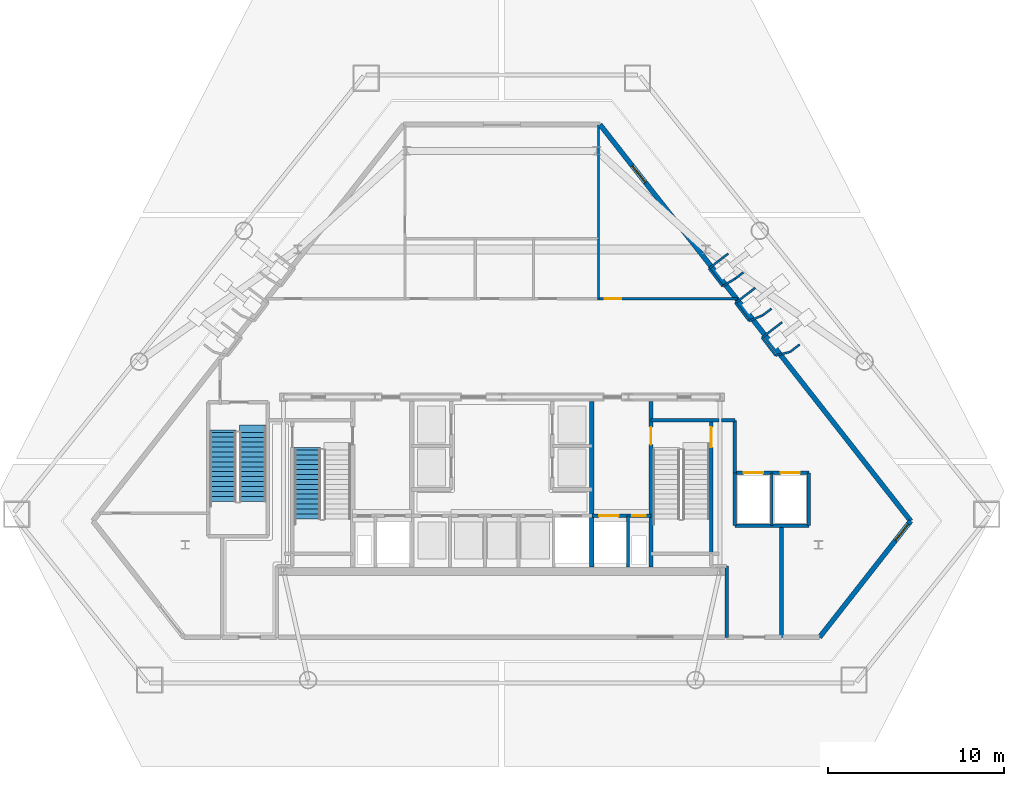
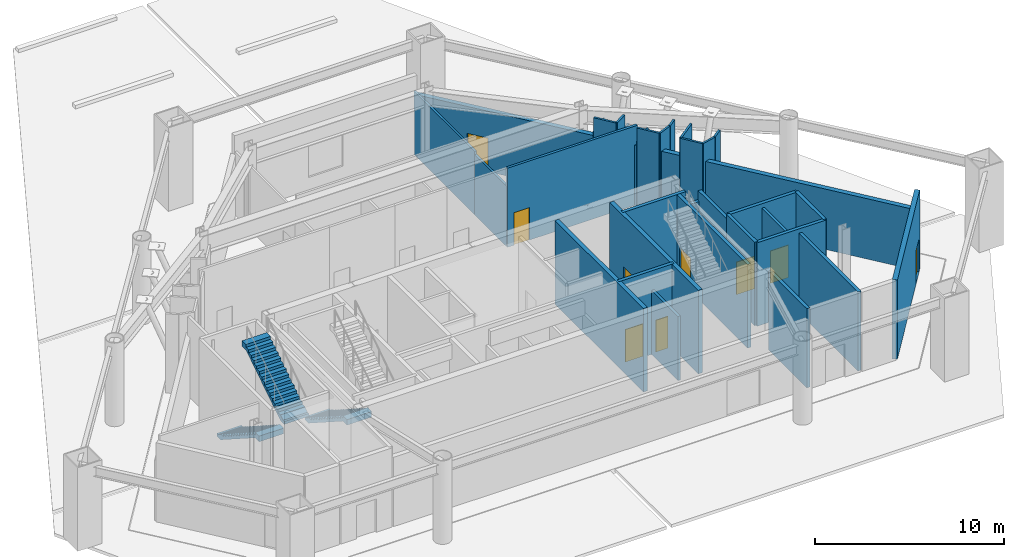
# One storey, part 6 of 9: 32 walls, 9 doors, 3 stair flights, 9 openings, 2 elements without a shape of their own.
"""IFC4 building model written with IfcOpenShell, lengths in metres."""

from ifc_helpers import new_model, si_unit, direction, frame, frame_2d, origin, place, context, subcontext, project, spatial, polyline, rectangle, outline, extrude, material, layer, layer_set, type_object, element, fill, aggregate, save


model = new_model("IFC4")

# Units and contexts
model_context = context("Model", 3, precision=1e-05, world=origin(), true_north=direction((0.0, 1.0)))
body_context = subcontext(model_context, "Body", "Model", "MODEL_VIEW")
ifc_project = project(units=[si_unit("LENGTHUNIT", "METRE"), si_unit("AREAUNIT", "SQUARE_METRE"), si_unit("VOLUMEUNIT", "CUBIC_METRE"), si_unit("PLANEANGLEUNIT", "RADIAN"), si_unit("MASSUNIT", "GRAM", prefix="KILO")], contexts=[model_context])

# Site, building, storey
site_placement = place(None, origin())
site = spatial("IfcSite", under=ifc_project, at=site_placement, CompositionType="ELEMENT")
building_placement = place(site_placement, origin())
building = spatial("IfcBuilding", under=site, at=building_placement, Name="Talgorran Terracotta Tower", CompositionType="ELEMENT")
storey_placement = place(building_placement, origin())
storey = spatial("IfcBuildingStorey", under=building, at=storey_placement, Name="L00", CompositionType="ELEMENT", Elevation=0.0)

# Wall
ifc_material_1 = material(Name="Concrete C50/60", Category="concrete")
ifc_layer_1 = layer(ifc_material_1, 0.199951171875, Name="WT_CORE_200")
ifc_layer_set_1 = layer_set([ifc_layer_1], Name="Concrete C50/60")
wall_type_1 = type_object("IfcWallType", Name="WT_CORE_200", PredefinedType="SOLIDWALL", material=ifc_layer_set_1)
wall_1_placement = place(storey_placement, frame((8.47998046875, -5.52001953125, 0.0), z_axis=(0.0, 0.0, 1.0), x_axis=(1.0, 0.0, 0.0)))
element("IfcWall", 1, at=wall_1_placement, inside=storey, type_object=wall_type_1, Name="WL-L00-CW-ST2-N", PredefinedType="SOLIDWALL", context=body_context, shape_type="SweptSolid", body=[
    extrude(rectangle(XDim=3.8701171875, YDim=0.199951171875, at=frame_2d((1.93505859375, 0.0))), origin(), (0.0, 0.0, 1.0), 5.39990234375),
])

# Wall, opening, door
wall_2_placement = place(storey_placement, frame((11.89990234375, -5.52001953125, 0.0), z_axis=(0.0, 0.0, 1.0), x_axis=(0.0, -1.0, 0.0)))
wall_2 = element("IfcWall", 2, at=wall_2_placement, inside=storey, type_object=wall_type_1, Name="WL-L00-CW-ST2-E", PredefinedType="SOLIDWALL", context=body_context, shape_type="SweptSolid", body=[
    extrude(rectangle(XDim=7.580078125, YDim=0.199951171875, at=frame_2d((3.7900390625, 0.0))), origin(), (0.0, 0.0, 1.0), 5.39990234375),
])
opening_1_placement = place(wall_2_placement, frame((0.3798828125, 0.0, 0.0)))
opening_1 = element("IfcOpeningElement", 3, at=opening_1_placement, cuts=wall_2, Name="Opening EX-02", PredefinedType="OPENING", context=body_context, shape_type="SweptSolid", body=[
    extrude(rectangle(XDim=1.15590234375, YDim=2.15390234375, at=frame_2d((0.574951171875, 1.076904296875))), frame((0.0, 0.10986328125, 0.0), z_axis=(0.0, -1.0, 0.0), x_axis=(1.0, 0.0, 0.0)), (0.0, 0.0, 1.0), 0.219970703125),
])
ifc_material_2 = material(Name="Steel Grade 350 (350L0)", Category="steel")
door_type_1 = type_object("IfcDoorType", Name="DT_EXIT_1150", OperationType="NOTDEFINED", PredefinedType="DOOR", material=ifc_material_2)
door_1_placement = place(opening_1_placement, origin())
door_1 = element("IfcDoor", 4, at=door_1_placement, inside=storey, type_object=door_type_1, Name="EX-02", OperationType="SINGLE_SWING_LEFT", OverallHeight=2.14990234375, OverallWidth=1.14990234375, PredefinedType="DOOR", context=body_context, shape_type="SweptSolid", body=[
    extrude(rectangle(XDim=1.14990234375, YDim=2.14990234375, at=frame_2d((0.574951171875, 1.074951171875))), frame((0.0, 0.02490234375, 0.0), z_axis=(0.0, -1.0, 0.0), x_axis=(1.0, 0.0, 0.0)), (0.0, 0.0, 1.0), 0.050048828125),
])
fill(opening_1, door_1)

# Wall, openings, doors
wall_3_placement = place(storey_placement, frame((5.1201171875, -10.949951171875, 0.0), z_axis=(0.0, 0.0, 1.0), x_axis=(1.0, 0.0, 0.0)))
wall_3 = element("IfcWall", 5, at=wall_3_placement, inside=storey, type_object=wall_type_1, Name="WL-L00-CW-H-SBE", PredefinedType="SOLIDWALL", context=body_context, shape_type="SweptSolid", body=[
    extrude(rectangle(XDim=3.35986328125, YDim=0.199951171875, at=frame_2d((1.679931640625, 0.0))), origin(), (0.0, 0.0, 1.0), 5.39990234375),
])
opening_2_placement = place(wall_3_placement, frame((0.419921875, 0.0, 0.0)))
opening_2 = element("IfcOpeningElement", 6, at=opening_2_placement, cuts=wall_3, Name="Opening LD-FFL2", PredefinedType="OPENING", context=body_context, shape_type="SweptSolid", body=[
    extrude(rectangle(XDim=1.10609765625, YDim=2.10409765625, at=frame_2d((0.550048828125, 1.052001953125))), frame((0.0, 0.10986328125, 0.0), z_axis=(0.0, -1.0, 0.0), x_axis=(1.0, 0.0, 0.0)), (0.0, 0.0, 1.0), 0.219970703125),
])
opening_3_placement = place(wall_3_placement, frame((2.300048828125, 0.0, 0.0)))
opening_3 = element("IfcOpeningElement", 7, at=opening_3_placement, cuts=wall_3, Name="Opening DR-RSE", PredefinedType="OPENING", context=body_context, shape_type="SweptSolid", body=[
    extrude(rectangle(XDim=0.756, YDim=2.054048828125, at=frame_2d((0.375, 1.027099609375))), frame((0.0, 0.10986328125, 0.0), z_axis=(0.0, -1.0, 0.0), x_axis=(1.0, 0.0, 0.0)), (0.0, 0.0, 1.0), 0.219970703125),
])
ifc_material_3 = material(Name="Brushed Stainless Steel Grade 304", Category="steel")
door_type_2 = type_object("IfcDoorType", Name="DT_LIFT_LD1100", OperationType="DOUBLE_DOOR_SLIDING", PredefinedType="DOOR", material=ifc_material_3)
door_2_placement = place(opening_2_placement, origin())
door_2 = element("IfcDoor", 8, at=door_2_placement, inside=storey, type_object=door_type_2, Name="L00 Lift Landing Door LD-FFL2", OperationType="DOUBLE_DOOR_SLIDING", OverallHeight=2.10009765625, OverallWidth=1.10009765625, PredefinedType="DOOR", context=body_context, shape_type="SweptSolid", body=[
    extrude(rectangle(XDim=1.10009765625, YDim=2.10009765625, at=frame_2d((0.550048828125, 1.050048828125))), frame((0.0, 0.02490234375, 0.0), z_axis=(0.0, -1.0, 0.0), x_axis=(1.0, 0.0, 0.0)), (0.0, 0.0, 1.0), 0.050048828125),
])
fill(opening_2, door_2)
ifc_material_4 = material(Name="Fire-Rated Pressed Steel", Category="steel")
door_type_3 = type_object("IfcDoorType", Name="DT_RISER_750", OperationType="NOTDEFINED", PredefinedType="DOOR", material=ifc_material_4)
door_3_placement = place(opening_3_placement, origin())
door_3 = element("IfcDoor", 9, at=door_3_placement, inside=storey, type_object=door_type_3, Name="DR-RSE", OperationType="SINGLE_SWING_RIGHT", OverallHeight=2.050048828125, OverallWidth=0.75, PredefinedType="DOOR", context=body_context, shape_type="SweptSolid", body=[
    extrude(rectangle(XDim=0.75, YDim=2.050048828125, at=frame_2d((0.375, 1.02490234375))), frame((0.0, 0.02490234375, 0.0), z_axis=(0.0, -1.0, 0.0), x_axis=(1.0, 0.0, 0.0)), (0.0, 0.0, 1.0), 0.050048828125),
])
fill(opening_3, door_3)

# Walls
wall_4_placement = place(storey_placement, frame((15.89990234375, -17.85009765625, 0.0), z_axis=(0.0, 0.0, 1.0), x_axis=(0.0, 1.0, 0.0)))
element("IfcWall", 10, at=wall_4_placement, inside=storey, type_object=wall_type_1, Name="WL-L00-PW-EXPE-E2", PredefinedType="SOLIDWALL", context=body_context, shape_type="SweptSolid", body=[
    extrude(rectangle(XDim=6.35009765625, YDim=0.199951171875, at=frame_2d((3.175048828125, 0.0))), origin(), (0.0, 0.0, 1.0), 5.1201171875),
])
wall_5_placement = place(storey_placement, frame((13.25, -11.5, 0.0), z_axis=(0.0, 0.0, 1.0), x_axis=(1.0, 0.0, 0.0)))
element("IfcWall", 11, at=wall_5_placement, inside=storey, type_object=wall_type_1, Name="WL-L00-PW-HL-S", PredefinedType="SOLIDWALL", context=body_context, shape_type="SweptSolid", body=[
    extrude(rectangle(XDim=4.199951171875, YDim=0.199951171875, at=frame_2d((2.10009765625, 0.0))), origin(), (0.0, 0.0, 1.0), 5.39990234375),
])

# Wall, openings, doors
wall_6_placement = place(storey_placement, frame((13.25, -8.5, 0.0), z_axis=(0.0, 0.0, 1.0), x_axis=(1.0, 0.0, 0.0)))
wall_6 = element("IfcWall", 12, at=wall_6_placement, inside=storey, type_object=wall_type_1, Name="WL-L00-PW-HL-N", PredefinedType="SOLIDWALL", context=body_context, shape_type="SweptSolid", body=[
    extrude(rectangle(XDim=4.199951171875, YDim=0.199951171875, at=frame_2d((2.10009765625, 0.0))), origin(), (0.0, 0.0, 1.0), 5.39990234375),
])
opening_4_placement = place(wall_6_placement, frame((0.5, 0.0, 0.0)))
opening_4 = element("IfcOpeningElement", 13, at=opening_4_placement, cuts=wall_6, Name="Opening LD-HL1", PredefinedType="OPENING", context=body_context, shape_type="SweptSolid", body=[
    extrude(rectangle(XDim=1.10609765625, YDim=2.10409765625, at=frame_2d((0.550048828125, 1.052001953125))), frame((0.0, 0.10986328125, 0.0), z_axis=(0.0, -1.0, 0.0), x_axis=(1.0, 0.0, 0.0)), (0.0, 0.0, 1.0), 0.219970703125),
])
opening_5_placement = place(wall_6_placement, frame((2.60009765625, 0.0, 0.0)))
opening_5 = element("IfcOpeningElement", 14, at=opening_5_placement, cuts=wall_6, Name="Opening LD-HL2", PredefinedType="OPENING", context=body_context, shape_type="SweptSolid", body=[
    extrude(rectangle(XDim=1.10609765625, YDim=2.10409765625, at=frame_2d((0.550048828125, 1.052001953125))), frame((0.0, 0.10986328125, 0.0), z_axis=(0.0, -1.0, 0.0), x_axis=(1.0, 0.0, 0.0)), (0.0, 0.0, 1.0), 0.219970703125),
])
door_4_placement = place(opening_4_placement, origin())
door_4 = element("IfcDoor", 15, at=door_4_placement, inside=storey, type_object=door_type_2, Name="L00 Lift Landing Door LD-HL1", OperationType="DOUBLE_DOOR_SLIDING", OverallHeight=2.10009765625, OverallWidth=1.10009765625, PredefinedType="DOOR", context=body_context, shape_type="SweptSolid", body=[
    extrude(rectangle(XDim=1.10009765625, YDim=2.10009765625, at=frame_2d((0.550048828125, 1.050048828125))), frame((0.0, 0.02490234375, 0.0), z_axis=(0.0, -1.0, 0.0), x_axis=(1.0, 0.0, 0.0)), (0.0, 0.0, 1.0), 0.050048828125),
])
fill(opening_4, door_4)
door_5_placement = place(opening_5_placement, origin())
door_5 = element("IfcDoor", 16, at=door_5_placement, inside=storey, type_object=door_type_2, Name="L00 Lift Landing Door LD-HL2", OperationType="DOUBLE_DOOR_SLIDING", OverallHeight=2.10009765625, OverallWidth=1.10009765625, PredefinedType="DOOR", context=body_context, shape_type="SweptSolid", body=[
    extrude(rectangle(XDim=1.10009765625, YDim=2.10009765625, at=frame_2d((0.550048828125, 1.050048828125))), frame((0.0, 0.02490234375, 0.0), z_axis=(0.0, -1.0, 0.0), x_axis=(1.0, 0.0, 0.0)), (0.0, 0.0, 1.0), 0.050048828125),
])
fill(opening_5, door_5)

# Walls
wall_7_placement = place(storey_placement, frame((12.780029296875, -17.85009765625, 0.0), z_axis=(0.0, 0.0, 1.0), x_axis=(0.0, 1.0, 0.0)))
element("IfcWall", 17, at=wall_7_placement, inside=storey, type_object=wall_type_1, Name="WL-L00-PW-EXPE-W2", PredefinedType="SOLIDWALL", context=body_context, shape_type="SweptSolid", body=[
    extrude(rectangle(XDim=4.050048828125, YDim=0.199951171875, at=frame_2d((2.02490234375, 0.0))), origin(), (0.0, 0.0, 1.0), 5.1201171875),
])
for number, where, z_axis, x_axis, name in (
    (18, (13.25, -11.5, 0.0), (0.0, 0.0, 1.0), (0.0, 1.0, 0.0), "WL-L00-PW-HL-W"),
    (19, (17.449951171875, -11.5, 0.0), (0.0, 0.0, 1.0), (0.0, 1.0, 0.0), "WL-L00-PW-HL-E"),
):
    element("IfcWall", number, at=place(storey_placement, frame(where, z_axis=z_axis, x_axis=x_axis)), inside=storey, type_object=wall_type_1, Name=name, PredefinedType="SOLIDWALL", context=body_context, shape_type="SweptSolid", body=[
        extrude(rectangle(XDim=3.0, YDim=0.199951171875, at=frame_2d((1.5, 0.0))), origin(), (0.0, 0.0, 1.0), 5.39990234375),
    ])
wall_8_placement = place(storey_placement, frame((13.25, -8.5, 0.0), z_axis=(0.0, 0.0, 1.0), x_axis=(0.0, 1.0, 0.0)))
element("IfcWall", 20, at=wall_8_placement, inside=storey, type_object=wall_type_1, Name="WL-L00-PW-EXPE-E0", PredefinedType="SOLIDWALL", context=body_context, shape_type="SweptSolid", body=[
    extrude(rectangle(XDim=2.97998046875, YDim=0.199951171875, at=frame_2d((1.489990234375, 0.0))), origin(), (0.0, 0.0, 1.0), 5.1201171875),
])
wall_9_placement = place(storey_placement, frame((12.47998046875, -5.52001953125, 0.0), z_axis=(0.0, 0.0, 1.0), x_axis=(1.0, 0.0, 0.0)))
element("IfcWall", 21, at=wall_9_placement, inside=storey, type_object=wall_type_1, Name="WL-L00-PW-EXPE-N", PredefinedType="SOLIDWALL", context=body_context, shape_type="SweptSolid", body=[
    extrude(rectangle(XDim=0.77001953125, YDim=0.199951171875, at=frame_2d((0.385009765625, 0.0))), origin(), (0.0, 0.0, 1.0), 4.4833984375),
])

# Wall, opening, door
ifc_layer_2 = layer(ifc_material_1, 0.25, Name="WT_CORE_250")
ifc_layer_set_2 = layer_set([ifc_layer_2], Name="Concrete C50/60")
wall_type_2 = type_object("IfcWallType", Name="WT_CORE_250", PredefinedType="SHEAR", material=ifc_layer_set_2)
wall_10_placement = place(storey_placement, frame((8.47998046875, -13.85009765625, 0.0), z_axis=(0.0, 0.0, 1.0), x_axis=(0.0, 1.0, 0.0)))
wall_10 = element("IfcWall", 22, at=wall_10_placement, inside=storey, type_object=wall_type_2, Name="WL-L00-CW-V-E1", PredefinedType="SHEAR", context=body_context, shape_type="SweptSolid", body=[
    extrude(rectangle(XDim=9.400146484375, YDim=0.25, at=frame_2d((4.7001953125, 0.0))), origin(), (0.0, 0.0, 1.0), 5.39990234375),
])
opening_6_placement = place(wall_10_placement, frame((6.949951171875, 0.0, 0.0)))
opening_6 = element("IfcOpeningElement", 23, at=opening_6_placement, cuts=wall_10, Name="Opening DR-ST02", PredefinedType="OPENING", context=body_context, shape_type="SweptSolid", body=[
    extrude(rectangle(XDim=1.006, YDim=2.10409765625, at=frame_2d((0.5, 1.052001953125))), frame((0.0, 0.135009765625, 0.0), z_axis=(0.0, -1.0, 0.0), x_axis=(1.0, 0.0, 0.0)), (0.0, 0.0, 1.0), 0.27001953125),
])
door_type_4 = type_object("IfcDoorType", Name="DT_FIRE_1000", OperationType="NOTDEFINED", PredefinedType="DOOR", material=ifc_material_4)
door_6_placement = place(opening_6_placement, origin())
door_6 = element("IfcDoor", 24, at=door_6_placement, inside=storey, type_object=door_type_4, Name="DR-ST02", OperationType="SINGLE_SWING_RIGHT", OverallHeight=2.10009765625, OverallWidth=1.0, PredefinedType="DOOR", context=body_context, shape_type="SweptSolid", body=[
    extrude(rectangle(XDim=1.0, YDim=2.10009765625, at=frame_2d((0.5, 1.050048828125))), frame((0.0, 0.02490234375, 0.0), z_axis=(0.0, -1.0, 0.0), x_axis=(1.0, 0.0, 0.0)), (0.0, 0.0, 1.0), 0.050048828125),
])
fill(opening_6, door_6)

# Wall
wall_11_placement = place(storey_placement, frame((5.1201171875, -13.85009765625, 0.0), z_axis=(0.0, 0.0, 1.0), x_axis=(0.0, 1.0, 0.0)))
element("IfcWall", 25, at=wall_11_placement, inside=storey, type_object=wall_type_2, Name="WL-L00-CW-V-E2", PredefinedType="SHEAR", context=body_context, shape_type="SweptSolid", body=[
    extrude(rectangle(XDim=9.400146484375, YDim=0.25, at=frame_2d((4.7001953125, 0.0))), origin(), (0.0, 0.0, 1.0), 5.39990234375),
])

# Wall, opening, door
ifc_material_5 = material(Name="Fire-Rated Steel Stud Plasterboard", Category="steel")
ifc_layer_3 = layer(ifc_material_5, 0.14990234375, Name="WT_FIRE_150")
ifc_layer_set_3 = layer_set([ifc_layer_3], Name="Fire-Rated Steel Stud Plasterboard")
wall_type_3 = type_object("IfcWallType", Name="WT_FIRE_150", PredefinedType="PARTITIONING", material=ifc_layer_set_3)
wall_12_placement = place(storey_placement, frame((5.43994140625, 1.39990234375, 0.0), z_axis=(0.0, 0.0, 1.0), x_axis=(1.0, 0.0, 0.0)))
wall_12 = element("IfcWall", 26, at=wall_12_placement, inside=storey, type_object=wall_type_3, Name="WL-L00-W-L00-R06", PredefinedType="PARTITIONING", context=body_context, shape_type="SweptSolid", body=[
    extrude(rectangle(XDim=7.9599609375, YDim=0.14990234375, at=frame_2d((3.97998046875, 0.0))), origin(), (0.0, 0.0, 1.0), 5.1201171875),
])
opening_7_placement = place(wall_12_placement, frame((0.399658203125, 0.0, 0.0)))
opening_7 = element("IfcOpeningElement", 27, at=opening_7_placement, cuts=wall_12, Name="Opening DR-L00-R08", PredefinedType="OPENING", context=body_context, shape_type="SweptSolid", body=[
    extrude(rectangle(XDim=0.955951171875, YDim=2.10409765625, at=frame_2d((0.47509765625, 1.052001953125))), frame((0.0, 0.0849609375, 0.0), z_axis=(0.0, -1.0, 0.0), x_axis=(1.0, 0.0, 0.0)), (0.0, 0.0, 1.0), 0.169921875),
])
ifc_material_6 = material(Name="Fire-Rated Timber Core", Category="wood")
door_type_5 = type_object("IfcDoorType", Name="DT_FIRE_950", OperationType="NOTDEFINED", PredefinedType="DOOR", material=ifc_material_6)
door_7_placement = place(opening_7_placement, origin())
door_7 = element("IfcDoor", 28, at=door_7_placement, inside=storey, type_object=door_type_5, Name="DR-L00-R08", OperationType="SINGLE_SWING_RIGHT", OverallHeight=2.10009765625, OverallWidth=0.949951171875, PredefinedType="DOOR", context=body_context, shape_type="SweptSolid", body=[
    extrude(rectangle(XDim=0.949951171875, YDim=2.10009765625, at=frame_2d((0.47509765625, 1.050048828125))), frame((0.0, 0.02490234375, 0.0), z_axis=(0.0, -1.0, 0.0), x_axis=(1.0, 0.0, 0.0)), (0.0, 0.0, 1.0), 0.050048828125),
])
fill(opening_7, door_7)

# Walls
ifc_material_7 = material(Name="Insulated Steel Stud Plasterboard", Category="steel")
ifc_layer_4 = layer(ifc_material_7, 0.1201171875, Name="WT_PART_120")
ifc_layer_set_4 = layer_set([ifc_layer_4], Name="Insulated Steel Stud Plasterboard")
wall_type_4 = type_object("IfcWallType", Name="WT_PART_120", PredefinedType="PARTITIONING", material=ifc_layer_set_4)
wall_13_placement = place(storey_placement, frame((5.5, 4.800048828125, 0.0), z_axis=(0.0, 0.0, 1.0), x_axis=(0.0, 1.0, 0.0)))
element("IfcWall", 29, at=wall_13_placement, inside=storey, type_object=wall_type_4, Name="WL-L00-W-L00-R14", PredefinedType="PARTITIONING", context=body_context, shape_type="SweptSolid", body=[
    extrude(rectangle(XDim=6.4599609375, YDim=0.1201171875, at=frame_2d((3.22998046875, 0.0))), origin(), (0.0, 0.0, 1.0), 4.094970703125),
])
wall_14_placement = place(storey_placement, frame((14.788330078125, -0.820068359375, 0.0), z_axis=(0.0, 0.0, 1.0), x_axis=(0.793945735428, 0.607988625876, 0.0)))
element("IfcWall", 30, at=wall_14_placement, inside=storey, type_object=wall_type_4, Name="WL-L00-BW-L00-04", PredefinedType="PARTITIONING", context=body_context, shape_type="SweptSolid", body=[
    extrude(rectangle(XDim=1.44677734375, YDim=0.1201171875, at=frame_2d((0.723388671875, 0.0))), origin(), (0.0, 0.0, 1.0), 5.1201171875),
])
wall_15_placement = place(storey_placement, frame((13.280517578125, 1.148681640625, 0.0), z_axis=(0.0, 0.0, 1.0), x_axis=(0.79390819543, 0.608037644582, 0.0)))
element("IfcWall", 31, at=wall_15_placement, inside=storey, type_object=wall_type_4, Name="WL-L00-BW-L00-16", PredefinedType="PARTITIONING", context=body_context, shape_type="SweptSolid", body=[
    extrude(rectangle(XDim=1.41845703125, YDim=0.1201171875, at=frame_2d((0.709228515625, 0.0))), origin(), (0.0, 0.0, 1.0), 4.18701171875),
])
wall_16_placement = place(storey_placement, frame((11.7724609375, 3.117431640625, 0.0), z_axis=(0.0, 0.0, 1.0), x_axis=(0.793914201761, 0.6080298021, 0.0)))
element("IfcWall", 32, at=wall_16_placement, inside=storey, type_object=wall_type_4, Name="WL-L00-BW-L00-24", PredefinedType="PARTITIONING", context=body_context, shape_type="SweptSolid", body=[
    extrude(rectangle(XDim=1.390869140625, YDim=0.1201171875, at=frame_2d((0.6953125, 0.0))), origin(), (0.0, 0.0, 1.0), 4.18701171875),
])
for number, where, z_axis, x_axis, name in (
    (33, (15.56689453125, -1.836181640625, 0.0), (0.0, 0.0, 1.0), (-0.608207299469, 0.793778231543, 0.0), "WL-L00-BW-L00-03"),
    (34, (12.55078125, 2.101318359375, 0.0), (0.0, 0.0, 1.0), (-0.60808710872, 0.793870309439, 0.0), "WL-L00-BW-L00-23"),
    (35, (14.058837890625, 0.13232421875, 0.0), (0.0, 0.0, 1.0), (-0.607995039096, 0.793940824265, 0.0), "WL-L00-BW-L00-15"),
):
    element("IfcWall", number, at=place(storey_placement, frame(where, z_axis=z_axis, x_axis=x_axis)), inside=storey, type_object=wall_type_4, Name=name, PredefinedType="PARTITIONING", context=body_context, shape_type="SweptSolid", body=[
        extrude(rectangle(XDim=1.280029296875, YDim=0.1201171875, at=frame_2d((0.64013671875, 0.0))), origin(), (0.0, 0.0, 1.0), 5.1201171875),
    ])
wall_17_placement = place(storey_placement, frame((16.380615234375, -1.6318359375, 0.0), z_axis=(0.0, 0.0, 1.0), x_axis=(-0.969885196515, -0.243562529098, 0.0)))
element("IfcWall", 36, at=wall_17_placement, inside=storey, type_object=wall_type_4, Name="WL-L00-BW-L00-02", PredefinedType="PARTITIONING", context=body_context, shape_type="SweptSolid", body=[
    extrude(rectangle(XDim=0.8388671875, YDim=0.1201171875, at=frame_2d((0.41943359375, 0.0))), origin(), (0.0, 0.0, 1.0), 5.1201171875),
])
wall_18_placement = place(storey_placement, frame((14.831787109375, 0.449462890625, 0.0), z_axis=(0.0, 0.0, 1.0), x_axis=(-0.925155462349, -0.379588422486, 0.0)))
element("IfcWall", 37, at=wall_18_placement, inside=storey, type_object=wall_type_4, Name="WL-L00-BW-L00-14", PredefinedType="PARTITIONING", context=body_context, shape_type="SweptSolid", body=[
    extrude(rectangle(XDim=0.83544921875, YDim=0.1201171875, at=frame_2d((0.417724609375, 0.0))), origin(), (0.0, 0.0, 1.0), 5.1201171875),
])
wall_19_placement = place(storey_placement, frame((13.26318359375, 2.53125, 0.0), z_axis=(0.0, 0.0, 1.0), x_axis=(-0.856169758015, -0.516694634635, 0.0)))
element("IfcWall", 38, at=wall_19_placement, inside=storey, type_object=wall_type_4, Name="WL-L00-BW-L00-22", PredefinedType="PARTITIONING", context=body_context, shape_type="SweptSolid", body=[
    extrude(rectangle(XDim=0.83203125, YDim=0.1201171875, at=frame_2d((0.416015625, 0.0))), origin(), (0.0, 0.0, 1.0), 5.1201171875),
])
wall_20_placement = place(storey_placement, frame((16.931884765625, -1.209716796875, 0.0), z_axis=(0.0, 0.0, 1.0), x_axis=(-0.79396842603, -0.607958994068, 0.0)))
element("IfcWall", 39, at=wall_20_placement, inside=storey, type_object=wall_type_4, Name="WL-L00-BW-L00-01", PredefinedType="PARTITIONING", context=body_context, shape_type="SweptSolid", body=[
    extrude(rectangle(XDim=0.6943359375, YDim=0.1201171875, at=frame_2d((0.34716796875, 0.0))), origin(), (0.0, 0.0, 1.0), 5.1201171875),
])
wall_21_placement = place(storey_placement, frame((15.331298828125, 0.831787109375, 0.0), z_axis=(0.0, 0.0, 1.0), x_axis=(-0.794093361628, -0.607795798783, 0.0)))
element("IfcWall", 40, at=wall_21_placement, inside=storey, type_object=wall_type_4, Name="WL-L00-BW-L00-13", PredefinedType="PARTITIONING", context=body_context, shape_type="SweptSolid", body=[
    extrude(rectangle(XDim=0.629150390625, YDim=0.1201171875, at=frame_2d((0.314453125, 0.0))), origin(), (0.0, 0.0, 1.0), 5.1201171875),
])
wall_22_placement = place(storey_placement, frame((13.72314453125, 2.883544921875, 0.0), z_axis=(0.0, 0.0, 1.0), x_axis=(-0.793891130038, -0.608059926032, 0.0)))
element("IfcWall", 41, at=wall_22_placement, inside=storey, type_object=wall_type_4, Name="WL-L00-BW-L00-21", PredefinedType="PARTITIONING", context=body_context, shape_type="SweptSolid", body=[
    extrude(rectangle(XDim=0.579345703125, YDim=0.1201171875, at=frame_2d((0.28955078125, 0.0))), origin(), (0.0, 0.0, 1.0), 4.18701171875),
])
ifc_material_8 = material(Name="Moisture-Resistant Stud Wall")
ifc_layer_5 = layer(ifc_material_8, 0.135009765625, Name="WT_PART_135")
ifc_layer_set_5 = layer_set([ifc_layer_5], Name="Moisture-Resistant Stud Wall")
wall_type_5 = type_object("IfcWallType", Name="WT_PART_135", PredefinedType="PARTITIONING", material=ifc_layer_set_5)
wall_23_placement = place(storey_placement, frame((5.5, 1.39990234375, 0.0), z_axis=(0.0, 0.0, 1.0), x_axis=(0.0, 1.0, 0.0)))
element("IfcWall", 42, at=wall_23_placement, inside=storey, type_object=wall_type_5, Name="WL-L00-W-L00-R16", PredefinedType="PARTITIONING", context=body_context, shape_type="SweptSolid", body=[
    extrude(rectangle(XDim=3.400146484375, YDim=0.135009765625, at=frame_2d((1.7001953125, 0.0))), origin(), (0.0, 0.0, 1.0), 3.89501953125),
])
ifc_material_9 = material(Name="Fire-Rated Shaftwall")
ifc_layer_6 = layer(ifc_material_9, 0.159912109375, Name="WT_PART_150")
ifc_layer_set_6 = layer_set([ifc_layer_6], Name="Fire-Rated Shaftwall")
wall_type_6 = type_object("IfcWallType", Name="WT_PART_150", PredefinedType="PARTITIONING", material=ifc_layer_set_6)
wall_24_placement = place(storey_placement, frame((7.179931640625, -13.85009765625, 0.0), z_axis=(0.0, 0.0, 1.0), x_axis=(0.0, 1.0, 0.0)))
element("IfcWall", 43, at=wall_24_placement, inside=storey, type_object=wall_type_6, Name="WL-L00-CW-RSE", PredefinedType="PARTITIONING", context=body_context, shape_type="SweptSolid", body=[
    extrude(rectangle(XDim=2.900146484375, YDim=0.159912109375, at=frame_2d((1.4501953125, 0.0))), origin(), (0.0, 0.0, 1.0), 4.14501953125),
])
wall_25_placement = place(storey_placement, frame((15.35009765625, -11.5, 0.0), z_axis=(0.0, 0.0, 1.0), x_axis=(0.0, 1.0, 0.0)))
element("IfcWall", 44, at=wall_25_placement, inside=storey, type_object=wall_type_6, Name="WL-L00-PW-HL-M", PredefinedType="PARTITIONING", context=body_context, shape_type="SweptSolid", body=[
    extrude(rectangle(XDim=3.0, YDim=0.159912109375, at=frame_2d((1.5, 0.0))), origin(), (0.0, 0.0, 1.0), 5.1201171875),
])

# Wall, opening, door
ifc_material_10 = material(Name="Concrete C40/50", Category="concrete")
ifc_layer_7 = layer(ifc_material_10, 0.280029296875, Name="WT_PAVILION_TERRA")
ifc_layer_set_7 = layer_set([ifc_layer_7], Name="Concrete C40/50")
wall_type_7 = type_object("IfcWallType", Name="WT_PAVILION_TERRA", PredefinedType="STANDARD", material=ifc_layer_set_7)
wall_26_placement = place(storey_placement, frame((23.24462890625, -11.239990234375, -0.014892578125), z_axis=(0.0, 0.0, 1.0), x_axis=(-0.616936653938, -0.787012811222, 0.0)))
wall_26 = element("IfcWall", 45, at=wall_26_placement, inside=storey, type_object=wall_type_7, Name="WL-L00-PAV-5", PredefinedType="STANDARD", context=body_context, shape_type="SweptSolid", body=[
    extrude(rectangle(XDim=8.39892578125, YDim=0.280029296875, at=frame_2d((4.199462890625, 0.0))), origin(), (0.0, 0.0, 1.0), 5.135009765625),
])
opening_8_placement = place(wall_26_placement, frame((0.219970703125, 0.0, 0.014892578125)))
opening_8 = element("IfcOpeningElement", 46, at=opening_8_placement, cuts=wall_26, Name="Opening D-L00-EX05", PredefinedType="OPENING", context=body_context, shape_type="SweptSolid", body=[
    extrude(rectangle(XDim=1.205951171875, YDim=2.15390234375, at=frame_2d((0.60009765625, 1.076904296875))), frame((0.0, 0.14990234375, 0.0), z_axis=(0.0, -1.0, 0.0), x_axis=(1.0, 0.0, 0.0)), (0.0, 0.0, 1.0), 0.300048828125),
])
door_type_6 = type_object("IfcDoorType", Name="DT_EXIT_1200", OperationType="NOTDEFINED", PredefinedType="DOOR", material=ifc_material_2)
door_8_placement = place(opening_8_placement, origin())
door_8 = element("IfcDoor", 47, at=door_8_placement, inside=storey, type_object=door_type_6, Name="DR-L00-EX05", OperationType="SINGLE_SWING_LEFT", OverallHeight=2.14990234375, OverallWidth=1.199951171875, PredefinedType="DOOR", context=body_context, shape_type="SweptSolid", body=[
    extrude(rectangle(XDim=1.199951171875, YDim=2.14990234375, at=frame_2d((0.60009765625, 1.074951171875))), frame((0.0, 0.02490234375, 0.0), z_axis=(0.0, -1.0, 0.0), x_axis=(1.0, 0.0, 0.0)), (0.0, 0.0, 1.0), 0.050048828125),
])
fill(opening_8, door_8)

wall_27_placement = place(storey_placement, frame((5.5830078125, 11.2900390625, -0.014892578125), z_axis=(0.0, 0.0, 1.0), x_axis=(0.616945483616, -0.787005889588, 0.0)))
wall_27 = element("IfcWall", 48, at=wall_27_placement, inside=storey, type_object=wall_type_7, Name="WL-L00-PAV-6", PredefinedType="STANDARD", context=body_context, shape_type="SweptSolid", body=[
    extrude(rectangle(XDim=28.62744140625, YDim=0.280029296875, at=frame_2d((14.313720703125, 0.0))), origin(), (0.0, 0.0, 1.0), 3.909912109375),
])
opening_9_placement = place(wall_27_placement, frame((2.978759765625, 0.0, 0.014892578125)))
opening_9 = element("IfcOpeningElement", 49, at=opening_9_placement, cuts=wall_27, Name="Opening D-L00-EX06", PredefinedType="OPENING", context=body_context, shape_type="SweptSolid", body=[
    extrude(rectangle(XDim=1.205951171875, YDim=2.15390234375, at=frame_2d((0.60009765625, 1.076904296875))), frame((0.0, 0.14990234375, 0.0), z_axis=(0.0, -1.0, 0.0), x_axis=(1.0, 0.0, 0.0)), (0.0, 0.0, 1.0), 0.300048828125),
])
door_9_placement = place(opening_9_placement, origin())
door_9 = element("IfcDoor", 50, at=door_9_placement, inside=storey, type_object=door_type_6, Name="DR-L00-EX06", OperationType="SINGLE_SWING_LEFT", OverallHeight=2.14990234375, OverallWidth=1.199951171875, PredefinedType="DOOR", context=body_context, shape_type="SweptSolid", body=[
    extrude(rectangle(XDim=1.199951171875, YDim=2.14990234375, at=frame_2d((0.60009765625, 1.074951171875))), frame((0.0, 0.02490234375, 0.0), z_axis=(0.0, -1.0, 0.0), x_axis=(1.0, 0.0, 0.0)), (0.0, 0.0, 1.0), 0.050048828125),
])
fill(opening_9, door_9)

# Stair, stair flight
stair_type_1 = type_object("IfcStairType", Name="ST_FIRE_SCISSOR", PredefinedType="HALF_TURN_STAIR", material=ifc_material_10)
stair_1_placement = place(storey_placement, origin())
stair_1 = element("IfcStair", 51, at=stair_1_placement, inside=storey, type_object=stair_type_1, Name="L00 West Protected Fire Stair ST-01", PredefinedType="HALF_TURN_STAIR")
ifc_layer_8 = layer(ifc_material_10, 0.179931640625, Name="STF_RC_1500")
ifc_layer_set_8 = layer_set([ifc_layer_8], Name="Concrete C40/50")
stair_flight_type_1 = type_object("IfcStairFlightType", Name="STF_RC_1500", PredefinedType="STRAIGHT", material=ifc_layer_set_8)
stair_flight_1_placement = place(storey_placement, frame((-11.050048828125, -7.199951171875, 0.0), z_axis=(0.0, 0.0, 1.0), x_axis=(0.0, -1.0, 0.0)))
stair_flight_1 = element("IfcStairFlight", 52, at=stair_flight_1_placement, type_object=stair_flight_type_1, Name="ST-01 flight 1", NumberOfRisers=15, NumberOfTreads=14, PredefinedType="STRAIGHT", RiserHeight=0.18, TreadLength=0.28, context=body_context, shape_type="SweptSolid", body=[
    extrude(outline(polyline([(-0.139892578125, 0.0), (-0.139892578125, 0.179931640625), (0.0, 0.179931640625), (0.280029296875, 0.360107421875), (0.56005859375, 0.360107421875), (0.56005859375, 0.5400390625), (0.840087890625, 0.5400390625), (0.840087890625, 0.719970703125), (1.1201171875, 0.719970703125), (1.1201171875, 0.89990234375), (1.39990234375, 0.89990234375), (1.39990234375, 1.080078125), (1.679931640625, 1.080078125), (1.679931640625, 1.260009765625), (1.9599609375, 1.260009765625), (1.9599609375, 1.43994140625), (2.239990234375, 1.43994140625), (2.239990234375, 1.6201171875), (2.52001953125, 1.6201171875), (2.52001953125, 1.800048828125), (2.800048828125, 1.800048828125), (2.800048828125, 1.97998046875), (3.080078125, 1.97998046875), (3.080078125, 2.159912109375), (3.360107421875, 2.159912109375), (3.360107421875, 2.340087890625), (3.639892578125, 2.340087890625), (3.639892578125, 2.52001953125), (3.919921875, 2.52001953125), (3.919921875, 2.699951171875), (4.340087890625, 2.699951171875), (4.340087890625, 2.341796875), (3.919921875, 2.341796875), (0.277099609375, 0.0), (-0.139892578125, 0.0)])), frame((0.0, 0.75, 0.0), z_axis=(0.0, -1.0, 0.0), x_axis=(1.0, 0.0, 0.0)), (0.0, 0.0, 1.0), 1.5),
])
aggregate(stair_1, [stair_flight_1])

# Stair, stair flights
stair_type_2 = type_object("IfcStairType", Name="ST_PODIUM_DOGLEG", PredefinedType="HALF_TURN_STAIR", material=ifc_material_10)
stair_2_placement = place(storey_placement, origin())
stair_2 = element("IfcStair", 53, at=stair_2_placement, inside=storey, type_object=stair_type_2, Name="L00 Podium Health Fire Stair ST-03", PredefinedType="HALF_TURN_STAIR")
ifc_layer_9 = layer(ifc_material_10, 0.195068359375, Name="STF_RC_PODIUM")
ifc_layer_set_9 = layer_set([ifc_layer_9], Name="Concrete C40/50")
stair_flight_type_2 = type_object("IfcStairFlightType", Name="STF_RC_PODIUM", PredefinedType="STRAIGHT", material=ifc_layer_set_9)
stair_flight_2_placement = place(storey_placement, frame((-15.85009765625, -6.199951171875, 0.0), z_axis=(0.0, 0.0, 1.0), x_axis=(0.0, -1.0, 0.0)))
stair_flight_2 = element("IfcStairFlight", 54, at=stair_flight_2_placement, type_object=stair_flight_type_2, Name="ST-03 flight 1", NumberOfRisers=15, NumberOfTreads=14, PredefinedType="STRAIGHT", RiserHeight=0.18, TreadLength=0.28, context=body_context, shape_type="SweptSolid", body=[
    extrude(outline(polyline([(-0.139892578125, 0.0), (-0.139892578125, 0.179931640625), (0.0, 0.179931640625), (0.280029296875, 0.360107421875), (0.56005859375, 0.360107421875), (0.56005859375, 0.5400390625), (0.840087890625, 0.5400390625), (0.840087890625, 0.719970703125), (1.1201171875, 0.719970703125), (1.1201171875, 0.89990234375), (1.39990234375, 0.89990234375), (1.39990234375, 1.080078125), (1.679931640625, 1.080078125), (1.679931640625, 1.260009765625), (1.9599609375, 1.260009765625), (1.9599609375, 1.43994140625), (2.239990234375, 1.43994140625), (2.239990234375, 1.6201171875), (2.52001953125, 1.6201171875), (2.52001953125, 1.800048828125), (2.800048828125, 1.800048828125), (2.800048828125, 1.97998046875), (3.080078125, 1.97998046875), (3.080078125, 2.159912109375), (3.360107421875, 2.159912109375), (3.360107421875, 2.340087890625), (3.639892578125, 2.340087890625), (3.639892578125, 2.52001953125), (3.919921875, 2.52001953125), (3.919921875, 2.699951171875), (4.340087890625, 2.699951171875), (4.340087890625, 2.341796875), (3.919921875, 2.341796875), (0.277099609375, 0.0), (-0.139892578125, 0.0)])), frame((0.0, 0.75, 0.0), z_axis=(0.0, -1.0, 0.0), x_axis=(1.0, 0.0, 0.0)), (0.0, 0.0, 1.0), 1.5),
])
stair_flight_3_placement = place(storey_placement, frame((-14.14990234375, -10.1201171875, 2.699951171875), z_axis=(0.0, 0.0, 1.0), x_axis=(0.0, 1.0, 0.0)))
stair_flight_3 = element("IfcStairFlight", 55, at=stair_flight_3_placement, type_object=stair_flight_type_2, Name="ST-03 flight 2", NumberOfRisers=15, NumberOfTreads=14, PredefinedType="STRAIGHT", RiserHeight=0.18, TreadLength=0.28, context=body_context, shape_type="SweptSolid", body=[
    extrude(outline(polyline([(-0.139892578125, 0.0), (-0.139892578125, 0.179931640625), (0.0, 0.179931640625), (0.280029296875, 0.360107421875), (0.56005859375, 0.360107421875), (0.56005859375, 0.5400390625), (0.840087890625, 0.5400390625), (0.840087890625, 0.719970703125), (1.1201171875, 0.719970703125), (1.1201171875, 0.89990234375), (1.39990234375, 0.89990234375), (1.39990234375, 1.080078125), (1.679931640625, 1.080078125), (1.679931640625, 1.260009765625), (1.9599609375, 1.260009765625), (1.9599609375, 1.43994140625), (2.239990234375, 1.43994140625), (2.239990234375, 1.6201171875), (2.52001953125, 1.6201171875), (2.52001953125, 1.800048828125), (2.800048828125, 1.800048828125), (2.800048828125, 1.97998046875), (3.080078125, 1.97998046875), (3.080078125, 2.159912109375), (3.360107421875, 2.159912109375), (3.360107421875, 2.340087890625), (3.639892578125, 2.340087890625), (3.639892578125, 2.52001953125), (3.919921875, 2.52001953125), (3.919921875, 2.699951171875), (4.340087890625, 2.699951171875), (4.340087890625, 2.341796875), (3.919921875, 2.341796875), (0.277099609375, 0.0), (-0.139892578125, 0.0)])), frame((0.0, 0.75, 0.0), z_axis=(0.0, -1.0, 0.0), x_axis=(1.0, 0.0, 0.0)), (0.0, 0.0, 1.0), 1.5),
])
aggregate(stair_2, [stair_flight_2, stair_flight_3])

save(model, "model.ifc")
